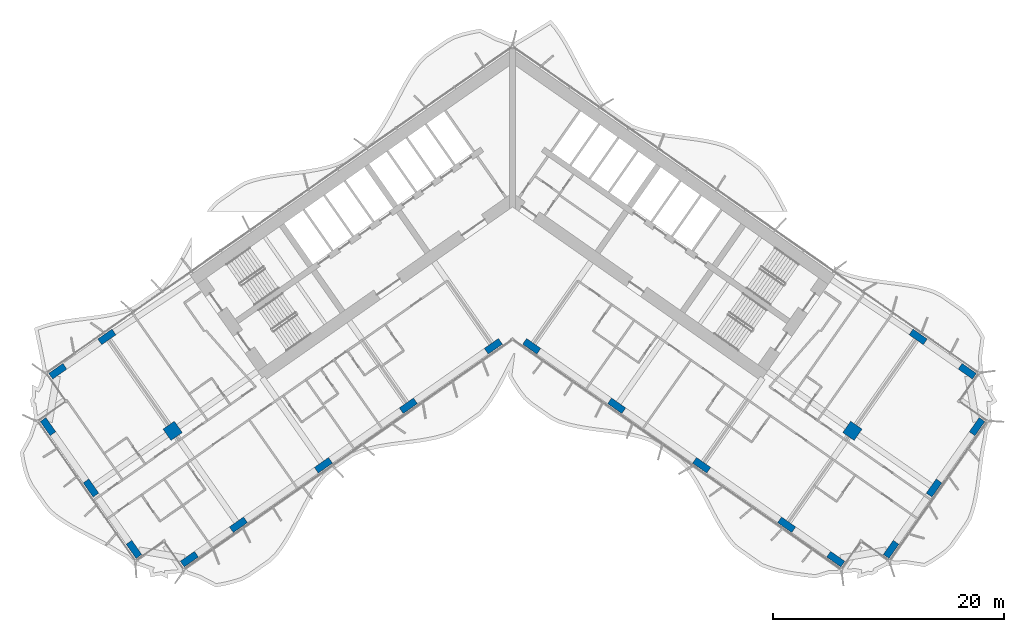
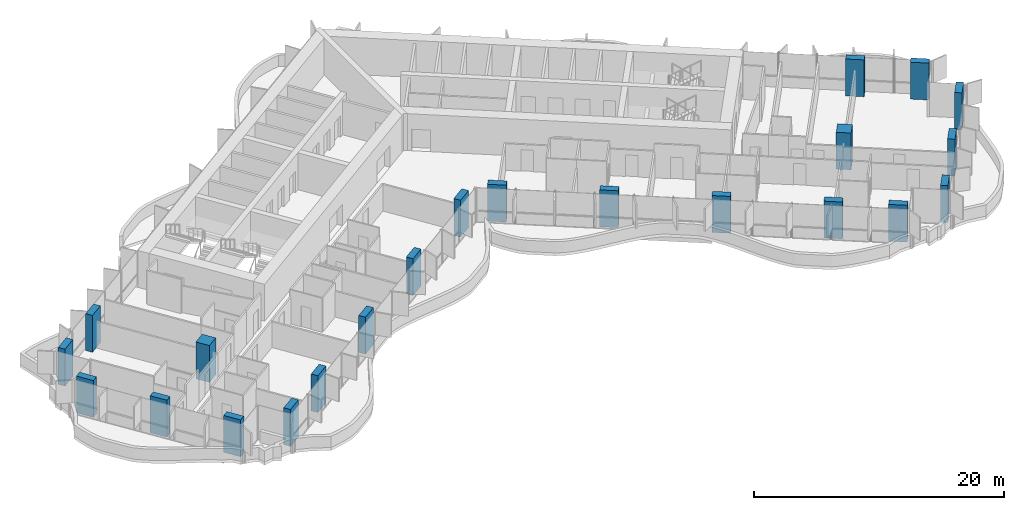
# One storey, part 1 of 23: 22 columns.
"""IFC4 building model written with IfcOpenShell, lengths in metres."""

from ifc_helpers import new_model, si_unit, direction, frame, origin, origin_2d, place, context, subcontext, project, spatial, rectangle, extrude, material, material_profile, profile_set, type_object, element, save


model = new_model("IFC4")

# Units and contexts
model_context = context("Model", 3, precision=1e-05, world=origin(), true_north=direction((0.0, 1.0)))
body_context = subcontext(model_context, "Body", "Model", "MODEL_VIEW")
ifc_project = project(units=[si_unit("LENGTHUNIT", "METRE"), si_unit("AREAUNIT", "SQUARE_METRE"), si_unit("VOLUMEUNIT", "CUBIC_METRE"), si_unit("PLANEANGLEUNIT", "RADIAN"), si_unit("MASSUNIT", "GRAM", prefix="KILO")], contexts=[model_context])

# Site, building, storey
site_placement = place(None, origin())
site = spatial("IfcSite", under=ifc_project, at=site_placement, CompositionType="ELEMENT")
building_placement = place(site_placement, origin())
building = spatial("IfcBuilding", under=site, at=building_placement, Name="Tel Ilan Convention Tower", CompositionType="ELEMENT")
storey_placement = place(building_placement, frame((0.0, 0.0, 101.300048828125)))
storey = spatial("IfcBuildingStorey", under=building, at=storey_placement, Name="L21", CompositionType="ELEMENT", Elevation=101.300048828125)

# Columns
ifc_material_1 = material(Name="Concrete C60/75", Category="concrete")
ifc_material_profile_1 = material_profile(ifc_material_1, rectangle(XDim=1.199951171875, YDim=1.199951171875, at=origin_2d()), Name="RC 1200x1200")
ifc_profile_set_1 = profile_set([ifc_material_profile_1], Name="Concrete C60/75")
column_type_1 = type_object("IfcColumnType", Name="Column RC 1200x1200 C60/75", PredefinedType="COLUMN", material=ifc_profile_set_1)
for number, where, z_axis, x_axis, name in (
    (1, (-29.489501953125, -20.648681640625, 0.0), (0.0, 0.0, 1.0), (-0.819152044289, -0.573576436351, 0.0), "L21 column W-M4"),
    (2, (29.489501953125, -20.648681640625, 0.0), (0.0, 0.0, 1.0), (0.819152044289, -0.573576436351, 0.0), "L21 column E-M4"),
):
    element("IfcColumn", number, at=place(storey_placement, frame(where, z_axis=z_axis, x_axis=x_axis)), inside=storey, type_object=column_type_1, Name=name, PredefinedType="COLUMN", context=body_context, shape_type="SweptSolid", body=[
        extrude(rectangle(XDim=1.199951171875, YDim=1.199951171875, at=origin_2d()), origin(), (0.0, 0.0, 1.0), 3.599853515625),
    ])
ifc_material_2 = material(Name="Concrete C60/75", Category="concrete")
ifc_material_profile_2 = material_profile(ifc_material_2, rectangle(XDim=1.5, YDim=0.60009765625, at=origin_2d()), Name="RC 600x1500")
ifc_profile_set_2 = profile_set([ifc_material_profile_2], Name="Concrete C60/75")
column_type_2 = type_object("IfcColumnType", Name="Column RC 600x1500 C60/75", PredefinedType="COLUMN", material=ifc_profile_set_2)
for number, where, z_axis, x_axis, name in (
    (3, (-1.665283203125, -13.312744140625, 0.0), (0.0, 0.0, 1.0), (-0.819152044289, -0.573576436351, 0.0), "L21 column W-F1"),
    (4, (-9.03759765625, -18.474853515625, 0.0), (0.0, 0.0, 1.0), (-0.819152044289, -0.573576436351, 0.0), "L21 column W-F2"),
    (5, (-16.409912109375, -23.63720703125, 0.0), (0.0, 0.0, 1.0), (-0.819152044289, -0.573576436351, 0.0), "L21 column W-F3"),
    (6, (-23.782470703125, -28.79931640625, 0.0), (0.0, 0.0, 1.0), (-0.819152044289, -0.573576436351, 0.0), "L21 column W-F4"),
    (7, (-28.0419921875, -31.781982421875, 0.0), (0.0, 0.0, 1.0), (-0.819152044289, -0.573576436351, 0.0), "L21 column W-FC"),
    (8, (-35.196533203125, -12.498291015625, 0.0), (0.0, 0.0, 1.0), (-0.819152044289, -0.573576436351, 0.0), "L21 column W-B4"),
    (9, (-39.4560546875, -15.480712890625, 0.0), (0.0, 0.0, 1.0), (-0.819152044289, -0.573576436351, 0.0), "L21 column W-BC"),
    (10, (-32.846923828125, -30.934814453125, 0.0), (0.0, 0.0, 1.0), (-0.573576436351, 0.819152044289, 0.0), "L21 column W-E1"),
    (11, (-36.5751953125, -25.610107421875, 0.0), (0.0, 0.0, 1.0), (-0.573576436351, 0.819152044289, 0.0), "L21 column W-E2"),
    (12, (-40.303466796875, -20.28564453125, 0.0), (0.0, 0.0, 1.0), (-0.573576436351, 0.819152044289, 0.0), "L21 column W-E3"),
    (13, (1.665283203125, -13.312744140625, 0.0), (0.0, 0.0, 1.0), (0.819152044289, -0.573576436351, 0.0), "L21 column E-F1"),
    (14, (9.03759765625, -18.474853515625, 0.0), (0.0, 0.0, 1.0), (0.819152044289, -0.573576436351, 0.0), "L21 column E-F2"),
    (15, (16.409912109375, -23.63720703125, 0.0), (0.0, 0.0, 1.0), (0.819152044289, -0.573576436351, 0.0), "L21 column E-F3"),
    (16, (23.782470703125, -28.79931640625, 0.0), (0.0, 0.0, 1.0), (0.819152044289, -0.573576436351, 0.0), "L21 column E-F4"),
    (17, (28.0419921875, -31.781982421875, 0.0), (0.0, 0.0, 1.0), (0.819152044289, -0.573576436351, 0.0), "L21 column E-FC"),
    (18, (35.196533203125, -12.498291015625, 0.0), (0.0, 0.0, 1.0), (0.819152044289, -0.573576436351, 0.0), "L21 column E-B4"),
    (19, (39.4560546875, -15.480712890625, 0.0), (0.0, 0.0, 1.0), (0.819152044289, -0.573576436351, 0.0), "L21 column E-BC"),
    (20, (32.846923828125, -30.934814453125, 0.0), (0.0, 0.0, 1.0), (0.573576436351, 0.819152044289, 0.0), "L21 column E-E1"),
    (21, (36.5751953125, -25.610107421875, 0.0), (0.0, 0.0, 1.0), (0.573576436351, 0.819152044289, 0.0), "L21 column E-E2"),
    (22, (40.303466796875, -20.28564453125, 0.0), (0.0, 0.0, 1.0), (0.573576436351, 0.819152044289, 0.0), "L21 column E-E3"),
):
    element("IfcColumn", number, at=place(storey_placement, frame(where, z_axis=z_axis, x_axis=x_axis)), inside=storey, type_object=column_type_2, Name=name, PredefinedType="COLUMN", context=body_context, shape_type="SweptSolid", body=[
        extrude(rectangle(XDim=1.5, YDim=0.60009765625, at=origin_2d()), origin(), (0.0, 0.0, 1.0), 3.599853515625),
    ])

save(model, "model.ifc")
